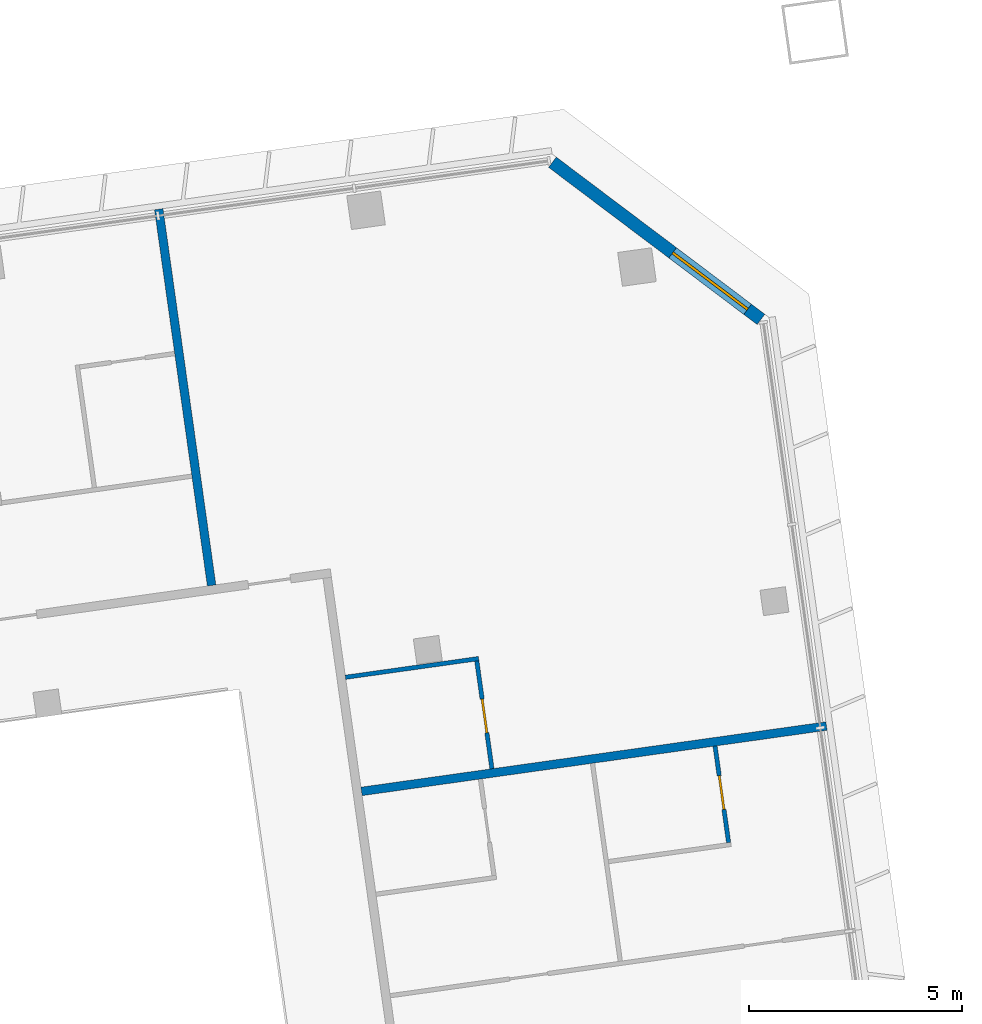
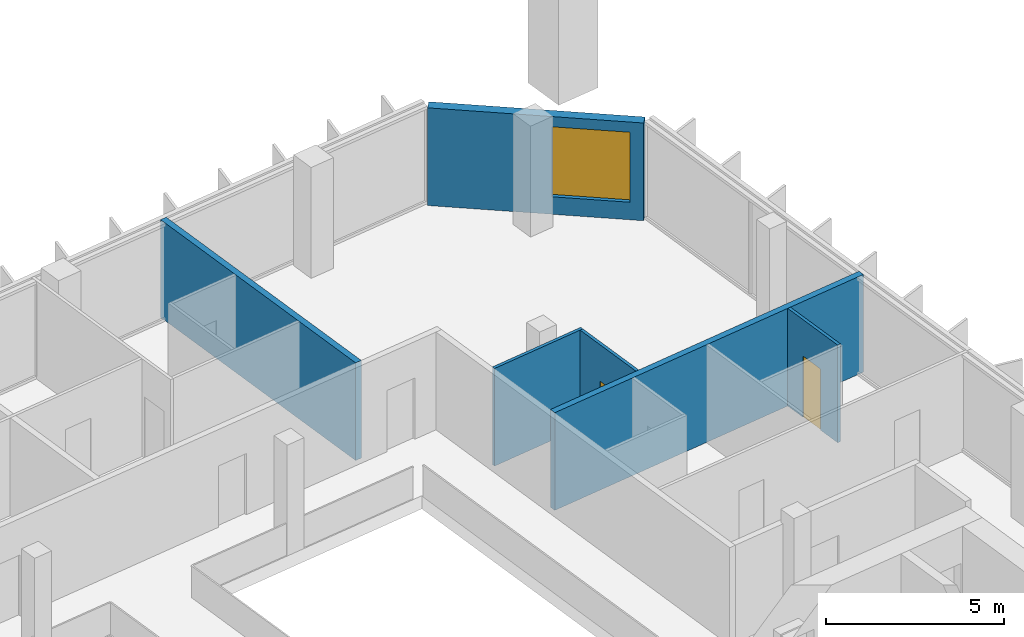
# One storey, part 20 of 23: 6 walls, 2 doors, 1 window, 3 openings.
"""IFC4 building model written with IfcOpenShell, lengths in metres."""

from ifc_helpers import new_model, si_unit, direction, frame, frame_2d, origin, place, context, subcontext, project, spatial, rectangle, extrude, material, layer, layer_set, type_object, element, fill, save


model = new_model("IFC4")

# Units and contexts
model_context = context("Model", 3, precision=1e-05, world=origin(), true_north=direction((0.0, 1.0)))
body_context = subcontext(model_context, "Body", "Model", "MODEL_VIEW")
ifc_project = project(units=[si_unit("LENGTHUNIT", "METRE"), si_unit("AREAUNIT", "SQUARE_METRE"), si_unit("VOLUMEUNIT", "CUBIC_METRE"), si_unit("PLANEANGLEUNIT", "RADIAN"), si_unit("MASSUNIT", "GRAM", prefix="KILO")], contexts=[model_context])

# Site, building, storey
site_placement = place(None, origin())
site = spatial("IfcSite", under=ifc_project, at=site_placement, CompositionType="ELEMENT")
building_placement = place(site_placement, origin())
building = spatial("IfcBuilding", under=site, at=building_placement, Name="Mirante Cascada Hotel Towers", CompositionType="ELEMENT")
storey_placement = place(building_placement, frame((0.0, 0.0, 187.8)))
storey = spatial("IfcBuildingStorey", under=building, at=storey_placement, Name="L44", CompositionType="ELEMENT", Elevation=187.8)

# Walls
ifc_material_1 = material(Name="Fire-rated plasterboard on metal studs")
ifc_layer_1 = layer(ifc_material_1, 0.2)
ifc_layer_set_1 = layer_set([ifc_layer_1], Name="Compartment wall 200 EI 120")
wall_type_1 = type_object("IfcWallType", Name="Compartment wall 200 EI 120", PredefinedType="PARTITIONING", material=ifc_layer_set_1)
wall_1_placement = place(storey_placement, frame((82.8018, 10.3016, 0.0), z_axis=(0.0, 0.0, 1.0), x_axis=(-0.990268, -0.1391733, 0.0)))
element("IfcWall", 1, at=wall_1_placement, inside=storey, type_object=wall_type_1, Name="Wall 2-L44-14", PredefinedType="PARTITIONING", context=body_context, shape_type="SweptSolid", body=[
    extrude(rectangle(XDim=11.0, YDim=0.2, at=frame_2d((5.5, 0.0))), origin(), (0.0, 0.0, 1.0), 3.35),
])
wall_2_placement = place(storey_placement, frame((68.3977, 13.5957, 0.0), z_axis=(0.0, 0.0, 1.0), x_axis=(-0.1391794, 0.9902672, 0.0)))
element("IfcWall", 2, at=wall_2_placement, inside=storey, type_object=wall_type_1, Name="Wall 2-L44-47", PredefinedType="PARTITIONING", context=body_context, shape_type="SweptSolid", body=[
    extrude(rectangle(XDim=8.9, YDim=0.2, at=frame_2d((4.45, 0.0))), origin(), (0.0, 0.0, 1.0), 3.35),
])
ifc_material_2 = material(Name="Plasterboard on metal studs")
ifc_layer_2 = layer(ifc_material_2, 0.1)
ifc_layer_set_2 = layer_set([ifc_layer_2], Name="Partition 100")
wall_type_2 = type_object("IfcWallType", Name="Partition 100", PredefinedType="PARTITIONING", material=ifc_layer_set_2)
wall_3_placement = place(storey_placement, frame((71.5331, 11.4444, 0.0), z_axis=(0.0, 0.0, 1.0), x_axis=(0.9902676, 0.1391765, 0.0)))
element("IfcWall", 3, at=wall_3_placement, inside=storey, type_object=wall_type_2, Name="Wall 2-L44-15", PredefinedType="PARTITIONING", context=body_context, shape_type="SweptSolid", body=[
    extrude(rectangle(XDim=3.15, YDim=0.1, at=frame_2d((1.575, 0.0))), origin(), (0.0, 0.0, 1.0), 3.35),
])

# Wall, opening, door
wall_4_placement = place(storey_placement, frame((74.6099, 11.8264, 0.0), z_axis=(0.0, 0.0, 1.0), x_axis=(0.1391755, -0.9902677, 0.0)))
wall_4 = element("IfcWall", 4, at=wall_4_placement, inside=storey, type_object=wall_type_2, Name="Wall 2-L44-50", PredefinedType="PARTITIONING", context=body_context, shape_type="SweptSolid", body=[
    extrude(rectangle(XDim=2.55, YDim=0.1, at=frame_2d((1.275, 0.0))), origin(), (0.0, 0.0, 1.0), 3.35),
])
opening_1_placement = place(wall_4_placement, frame((0.9, 0.0, 0.0)))
opening_1 = element("IfcOpeningElement", 5, at=opening_1_placement, cuts=wall_4, Name="Opening D2-L44-33", PredefinedType="OPENING", context=body_context, shape_type="SweptSolid", body=[
    extrude(rectangle(XDim=0.8, YDim=2.1, at=frame_2d((0.4, 1.05))), frame((0.0, 0.05, 0.0), z_axis=(0.0, -1.0, 0.0), x_axis=(1.0, 0.0, 0.0)), (0.0, 0.0, 1.0), 0.1),
])
ifc_material_3 = material(Name="Timber door leaf", Category="wood")
door_type = type_object("IfcDoorType", Name="Bathroom door DG4 800x2100", OperationType="SINGLE_SWING_LEFT", PredefinedType="DOOR", material=ifc_material_3)
door_1_placement = place(opening_1_placement, origin())
door_1 = element("IfcDoor", 6, at=door_1_placement, inside=storey, type_object=door_type, Name="Door D2-L44-33", OperationType="SINGLE_SWING_LEFT", OverallHeight=2.1, OverallWidth=0.8, PredefinedType="DOOR", context=body_context, shape_type="SweptSolid", body=[
    extrude(rectangle(XDim=0.8, YDim=2.1, at=frame_2d((0.4, 1.05))), frame((0.0, 0.025, 0.0), z_axis=(0.0, -1.0, 0.0), x_axis=(1.0, 0.0, 0.0)), (0.0, 0.0, 1.0), 0.05),
])
fill(opening_1, door_1)

wall_5_placement = place(storey_placement, frame((80.5093, 7.5727, 0.0), z_axis=(0.0, 0.0, 1.0), x_axis=(-0.139183, 0.9902667, 0.0)))
wall_5 = element("IfcWall", 7, at=wall_5_placement, inside=storey, type_object=wall_type_2, Name="Wall 2-L44-53", PredefinedType="PARTITIONING", context=body_context, shape_type="SweptSolid", body=[
    extrude(rectangle(XDim=2.2833, YDim=0.1, at=frame_2d((1.1416, 0.0))), origin(), (0.0, 0.0, 1.0), 3.35),
])
opening_2_placement = place(wall_5_placement, frame((0.7833, 0.0, 0.0)))
opening_2 = element("IfcOpeningElement", 8, at=opening_2_placement, cuts=wall_5, Name="Opening D2-L44-34", PredefinedType="OPENING", context=body_context, shape_type="SweptSolid", body=[
    extrude(rectangle(XDim=0.8, YDim=2.1, at=frame_2d((0.4, 1.05))), frame((0.0, 0.05, 0.0), z_axis=(0.0, -1.0, 0.0), x_axis=(1.0, 0.0, 0.0)), (0.0, 0.0, 1.0), 0.1),
])
door_2_placement = place(opening_2_placement, frame((0.8, 0.0, 0.0), z_axis=(0.0, 0.0, 1.0), x_axis=(-1.0, 0.0, 0.0)))
door_2 = element("IfcDoor", 9, at=door_2_placement, inside=storey, type_object=door_type, Name="Door D2-L44-34", OperationType="SINGLE_SWING_RIGHT", OverallHeight=2.1, OverallWidth=0.8, PredefinedType="DOOR", context=body_context, shape_type="SweptSolid", body=[
    extrude(rectangle(XDim=0.8, YDim=2.1, at=frame_2d((0.4, 1.05))), frame((0.0, 0.025, 0.0), z_axis=(0.0, -1.0, 0.0), x_axis=(1.0, 0.0, 0.0)), (0.0, 0.0, 1.0), 0.05),
])
fill(opening_2, door_2)

# Wall, opening, window
ifc_material_4 = material(Name="Precast concrete C40/50", Category="concrete")
ifc_layer_3 = layer(ifc_material_4, 0.3)
ifc_layer_set_3 = layer_set([ifc_layer_3], Name="Precast concrete C40/50 cladding wall 300")
wall_type_3 = type_object("IfcWallType", Name="Precast concrete C40/50 cladding wall 300", PredefinedType="STANDARD", material=ifc_layer_set_3)
wall_6_placement = place(storey_placement, frame((81.2671, 19.8291, 0.0), z_axis=(0.0, 0.0, 1.0), x_axis=(-0.7986343, 0.6018167, 0.0)))
wall_6 = element("IfcWall", 10, at=wall_6_placement, inside=storey, type_object=wall_type_3, Name="Corner cladding wall T2 L44 outer front", PredefinedType="STANDARD", context=body_context, shape_type="SweptSolid", body=[
    extrude(rectangle(XDim=6.1158, YDim=0.3, at=frame_2d((3.0579, 0.0))), origin(), (0.0, 0.0, 1.0), 3.35),
])
opening_3_placement = place(wall_6_placement, frame((0.3914, 0.0, 0.6)))
opening_3 = element("IfcOpeningElement", 11, at=opening_3_placement, cuts=wall_6, Name="Opening W2-44-02", PredefinedType="OPENING", context=body_context, shape_type="SweptSolid", body=[
    extrude(rectangle(XDim=2.2, YDim=2.4, at=frame_2d((1.1, 1.2))), frame((0.0, 0.15, 0.0), z_axis=(0.0, -1.0, 0.0), x_axis=(1.0, 0.0, 0.0)), (0.0, 0.0, 1.0), 0.3),
])
ifc_material_5 = material(Name="Aluminium frame with clear double glazing", Category="aluminium")
window_type = type_object("IfcWindowType", Name="Corner suite window 2200x2400", PartitioningType="DOUBLE_PANEL_VERTICAL", PredefinedType="WINDOW", material=ifc_material_5)
window_placement = place(opening_3_placement, origin())
window = element("IfcWindow", 12, at=window_placement, inside=storey, type_object=window_type, Name="Window W2-44-02", OverallHeight=2.4, OverallWidth=2.2, PartitioningType="SINGLE_PANEL", PredefinedType="WINDOW", context=body_context, shape_type="SweptSolid", body=[
    extrude(rectangle(XDim=2.2, YDim=2.4, at=frame_2d((1.1, 1.2))), frame((0.0, 0.03, 0.0), z_axis=(0.0, -1.0, 0.0), x_axis=(1.0, 0.0, 0.0)), (0.0, 0.0, 1.0), 0.06),
])
fill(opening_3, window)

save(model, "model.ifc")
